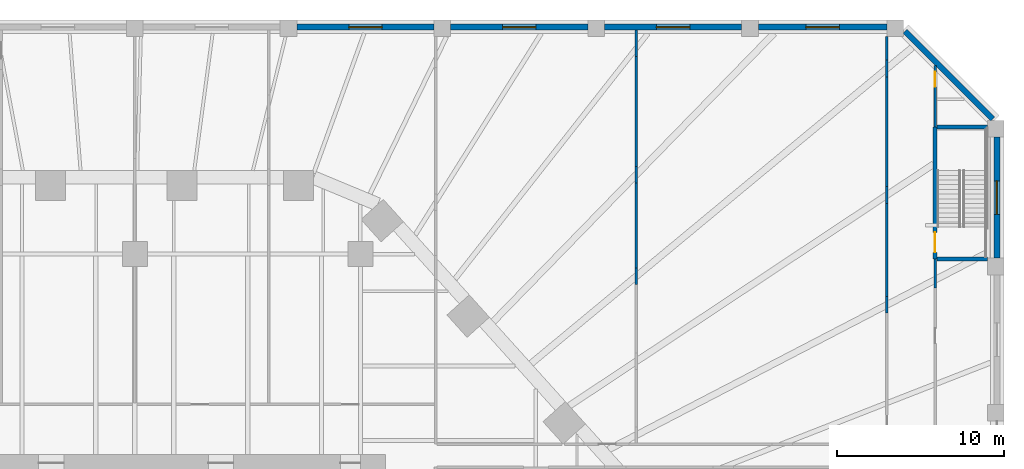
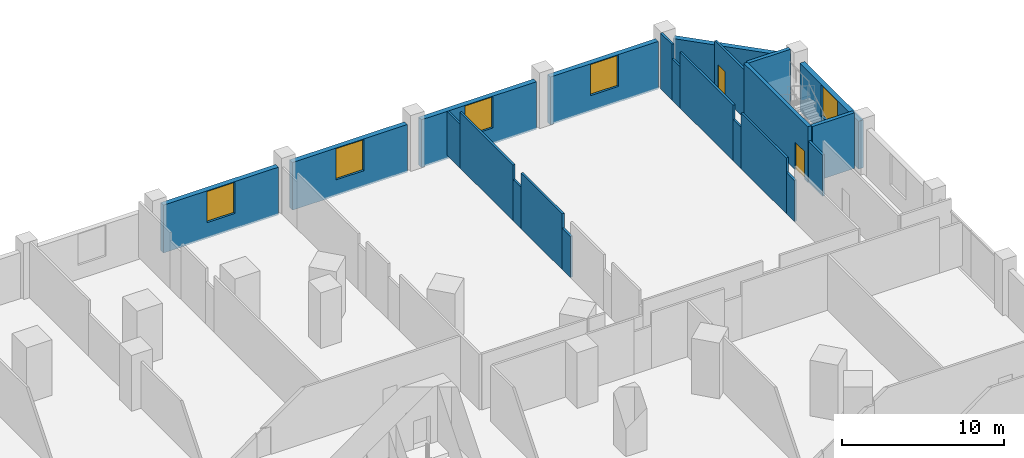
# One storey, part 23 of 29: 22 walls, 5 windows, 2 doors, 7 openings.
"""IFC4 building model written with IfcOpenShell, lengths in metres."""

from ifc_helpers import new_model, si_unit, direction, frame, frame_2d, origin, place, context, subcontext, project, spatial, rectangle, extrude, material, layer, layer_set, type_object, element, fill, save


model = new_model("IFC4")

# Units and contexts
model_context = context("Model", 3, precision=1e-05, world=origin(), true_north=direction((0.0, 1.0)))
body_context = subcontext(model_context, "Body", "Model", "MODEL_VIEW")
ifc_project = project(units=[si_unit("LENGTHUNIT", "METRE"), si_unit("AREAUNIT", "SQUARE_METRE"), si_unit("VOLUMEUNIT", "CUBIC_METRE"), si_unit("PLANEANGLEUNIT", "RADIAN"), si_unit("MASSUNIT", "GRAM", prefix="KILO")], contexts=[model_context])

# Site, building, storey
site_placement = place(None, origin())
site = spatial("IfcSite", under=ifc_project, at=site_placement, CompositionType="ELEMENT")
building_placement = place(site_placement, origin())
building = spatial("IfcBuilding", under=site, at=building_placement, Name="Isthmus Gate Tower", CompositionType="ELEMENT")
storey_placement = place(building_placement, frame((0.0, 0.0, 27.0)))
storey = spatial("IfcBuildingStorey", under=building, at=storey_placement, Name="L04", CompositionType="ELEMENT", Elevation=27.0)

# Walls
ifc_material_1 = material(Name="Fire-rated gypsum board on steel studs", Category="steel")
ifc_layer_1 = layer(ifc_material_1, 0.14990234375)
ifc_layer_set_1 = layer_set([ifc_layer_1], Name="Fire-rated partition 150 EI 60")
wall_type_1 = type_object("IfcWallType", Name="Fire-rated partition 150 EI 60", PredefinedType="PARTITIONING", material=ifc_layer_set_1)
wall_1_placement = place(storey_placement, frame((45.0, 23.458251953125, 0.0), z_axis=(0.0, 0.0, 1.0), x_axis=(0.0, 1.0, 0.0)))
element("IfcWall", 1, at=wall_1_placement, inside=storey, type_object=wall_type_1, Name="Fire-rated partition", PredefinedType="PARTITIONING", context=body_context, shape_type="SweptSolid", body=[
    extrude(rectangle(XDim=1.0, YDim=0.14990234375, at=frame_2d((0.5, 0.0))), origin(), (0.0, 0.0, 1.0), 3.111083984375),
])
wall_2_placement = place(storey_placement, frame((45.0, 24.458251953125, 0.0), z_axis=(0.0, 0.0, 1.0), x_axis=(0.0, 1.0, 0.0)))
element("IfcWall", 2, at=wall_2_placement, inside=storey, type_object=wall_type_1, Name="Fire-rated partition", PredefinedType="PARTITIONING", context=body_context, shape_type="SweptSolid", body=[
    extrude(rectangle(XDim=5.5693359375, YDim=0.14990234375, at=frame_2d((2.78466796875, 0.0))), origin(), (0.0, 0.0, 1.0), 4.199951171875),
])
wall_3_placement = place(storey_placement, frame((45.0, 30.027587890625, 0.0), z_axis=(0.0, 0.0, 1.0), x_axis=(0.0, 1.0, 0.0)))
element("IfcWall", 3, at=wall_3_placement, inside=storey, type_object=wall_type_1, Name="Fire-rated partition", PredefinedType="PARTITIONING", context=body_context, shape_type="SweptSolid", body=[
    extrude(rectangle(XDim=1.0, YDim=0.14990234375, at=frame_2d((0.5, 0.0))), origin(), (0.0, 0.0, 1.0), 3.111083984375),
])
wall_4_placement = place(storey_placement, frame((45.0, 31.027587890625, 0.0), z_axis=(0.0, 0.0, 1.0), x_axis=(0.0, 1.0, 0.0)))
element("IfcWall", 4, at=wall_4_placement, inside=storey, type_object=wall_type_1, Name="Fire-rated partition", PredefinedType="PARTITIONING", context=body_context, shape_type="SweptSolid", body=[
    extrude(rectangle(XDim=6.572509765625, YDim=0.14990234375, at=frame_2d((3.2861328125, 0.0))), origin(), (0.0, 0.0, 1.0), 4.199951171875),
])
wall_5_placement = place(storey_placement, frame((45.0, 37.60009765625, 0.0), z_axis=(0.0, 0.0, 1.0), x_axis=(0.0, 1.0, 0.0)))
element("IfcWall", 5, at=wall_5_placement, inside=storey, type_object=wall_type_1, Name="Fire-rated partition", PredefinedType="PARTITIONING", context=body_context, shape_type="SweptSolid", body=[
    extrude(rectangle(XDim=1.0, YDim=0.14990234375, at=frame_2d((0.5, 0.0))), origin(), (0.0, 0.0, 1.0), 3.111083984375),
])
wall_6_placement = place(storey_placement, frame((45.0, 38.60009765625, 0.0), z_axis=(0.0, 0.0, 1.0), x_axis=(0.0, 1.0, 0.0)))
element("IfcWall", 6, at=wall_6_placement, inside=storey, type_object=wall_type_1, Name="Fire-rated partition", PredefinedType="PARTITIONING", context=body_context, shape_type="SweptSolid", body=[
    extrude(rectangle(XDim=1.39990234375, YDim=0.14990234375, at=frame_2d((0.699951171875, 0.0))), origin(), (0.0, 0.0, 1.0), 4.199951171875),
])
wall_7_placement = place(storey_placement, frame((47.875, 24.9521484375, 0.0), z_axis=(0.0, 0.0, 1.0), x_axis=(0.0, 1.0, 0.0)))
element("IfcWall", 7, at=wall_7_placement, inside=storey, type_object=wall_type_1, Name="Fire-rated partition", PredefinedType="PARTITIONING", context=body_context, shape_type="SweptSolid", body=[
    extrude(rectangle(XDim=1.747802734375, YDim=0.14990234375, at=frame_2d((0.8740234375, 0.0))), origin(), (0.0, 0.0, 1.0), 3.111083984375),
])

# Wall, opening, door
wall_8_placement = place(storey_placement, frame((47.875, 34.60009765625, 0.0), z_axis=(0.0, 0.0, 1.0), x_axis=(0.0, 1.0, 0.0)))
wall_8 = element("IfcWall", 8, at=wall_8_placement, inside=storey, type_object=wall_type_1, Name="Fire-rated partition", PredefinedType="PARTITIONING", context=body_context, shape_type="SweptSolid", body=[
    extrude(rectangle(XDim=3.676513671875, YDim=0.14990234375, at=frame_2d((1.83837890625, 0.0))), origin(), (0.0, 0.0, 1.0), 3.66650390625),
])
opening_1_placement = place(wall_8_placement, frame((2.39990234375, 0.0, 0.0)))
opening_1 = element("IfcOpeningElement", 9, at=opening_1_placement, cuts=wall_8, Name="Opening DP04-06", PredefinedType="OPENING", context=body_context, shape_type="SweptSolid", body=[
    extrude(rectangle(XDim=0.89990234375, YDim=2.10009765625, at=frame_2d((0.449951171875, 1.050048828125))), frame((0.0, 0.0849609375, 0.0), z_axis=(0.0, -1.0, 0.0), x_axis=(1.0, 0.0, 0.0)), (0.0, 0.0, 1.0), 0.169921875),
])
ifc_material_2 = material(Name="Steel fire door with intumescent seals", Category="steel")
door_type_1 = type_object("IfcDoorType", Name="Fire door 900 x 2100", OperationType="SINGLE_SWING_LEFT", PredefinedType="DOOR", material=ifc_material_2)
door_1_placement = place(opening_1_placement, origin())
door_1 = element("IfcDoor", 10, at=door_1_placement, inside=storey, type_object=door_type_1, Name="Door DP04-06", OperationType="SINGLE_SWING_LEFT", OverallHeight=2.10009765625, OverallWidth=0.89990234375, PredefinedType="DOOR", context=body_context, shape_type="SweptSolid", body=[
    extrude(rectangle(XDim=0.89990234375, YDim=2.10009765625, at=frame_2d((0.449951171875, 1.050048828125))), frame((0.0, 0.02490234375, 0.0), z_axis=(0.0, -1.0, 0.0), x_axis=(1.0, 0.0, 0.0)), (0.0, 0.0, 1.0), 0.050048828125),
])
fill(opening_1, door_1)

# Wall, opening, window
ifc_material_3 = material(Name="Precast concrete C40/50, limestone-faced", Category="masonry")
ifc_layer_2 = layer(ifc_material_3, 0.35009765625)
ifc_layer_set_2 = layer_set([ifc_layer_2], Name="PODIUM CLADDING WALL 350")
wall_type_2 = type_object("IfcWallType", Name="PODIUM CLADDING WALL 350", PredefinedType="SOLIDWALL", material=ifc_layer_set_2)
wall_9_placement = place(storey_placement, frame((51.574951171875, 26.75, -0.300048828125), z_axis=(0.0, 0.0, 1.0), x_axis=(0.0, 1.0, 0.0)))
wall_9 = element("IfcWall", 11, at=wall_9_placement, inside=storey, type_object=wall_type_2, Name="PODIUM WALL", PredefinedType="SOLIDWALL", context=body_context, shape_type="SweptSolid", body=[
    extrude(rectangle(XDim=7.25, YDim=0.35009765625, at=frame_2d((3.625, 0.0))), origin(), (0.0, 0.0, 1.0), 3.60009765625),
])
opening_2_placement = place(wall_9_placement, frame((2.625, 0.0, 1.199951171875)))
opening_2 = element("IfcOpeningElement", 12, at=opening_2_placement, cuts=wall_9, Name="Opening W076", PredefinedType="OPENING", context=body_context, shape_type="SweptSolid", body=[
    extrude(rectangle(XDim=2.0, YDim=2.35009765625, at=frame_2d((1.0, 1.175048828125))), frame((0.0, 0.18505859375, 0.0), z_axis=(0.0, -1.0, 0.0), x_axis=(1.0, 0.0, 0.0)), (0.0, 0.0, 1.0), 0.3701171875),
])
ifc_material_4 = material(Name="Aluminium, pale champagne anodised, laminated glass", Category="aluminium")
window_type = type_object("IfcWindowType", Name="PODIUM SLOT WINDOW 2000 X 2350", PartitioningType="SINGLE_PANEL", PredefinedType="WINDOW", material=ifc_material_4)
window_1_placement = place(opening_2_placement, origin())
window_1 = element("IfcWindow", 13, at=window_1_placement, inside=storey, type_object=window_type, Name="SLOT WINDOW", OverallHeight=2.35009765625, OverallWidth=2.0, PartitioningType="SINGLE_PANEL", PredefinedType="WINDOW", context=body_context, shape_type="SweptSolid", body=[
    extrude(rectangle(XDim=2.0, YDim=2.35009765625, at=frame_2d((1.0, 1.175048828125))), frame((0.0, 0.030029296875, 0.0), z_axis=(0.0, -1.0, 0.0), x_axis=(1.0, 0.0, 0.0)), (0.0, 0.0, 1.0), 0.06005859375),
])
fill(opening_2, window_1)

# Wall
wall_10_placement = place(storey_placement, frame((51.327392578125, 35.071533203125, -0.300048828125), z_axis=(0.0, 0.0, 1.0), x_axis=(-0.707106781187, 0.707106781187, 0.0)))
element("IfcWall", 14, at=wall_10_placement, inside=storey, type_object=wall_type_2, Name="PODIUM WALL", PredefinedType="SOLIDWALL", context=body_context, shape_type="SweptSolid", body=[
    extrude(rectangle(XDim=7.432861328125, YDim=0.35009765625, at=frame_2d((3.71630859375, 0.0))), origin(), (0.0, 0.0, 1.0), 3.60009765625),
])

# Wall, opening, window
wall_11_placement = place(storey_placement, frame((45.0, 40.574951171875, -0.300048828125), z_axis=(0.0, 0.0, 1.0), x_axis=(-1.0, 0.0, 0.0)))
wall_11 = element("IfcWall", 15, at=wall_11_placement, inside=storey, type_object=wall_type_2, Name="PODIUM WALL", PredefinedType="SOLIDWALL", context=body_context, shape_type="SweptSolid", body=[
    extrude(rectangle(XDim=7.699951171875, YDim=0.35009765625, at=frame_2d((3.85009765625, 0.0))), origin(), (0.0, 0.0, 1.0), 3.60009765625),
])
opening_3_placement = place(wall_11_placement, frame((2.85009765625, 0.0, 1.199951171875)))
opening_3 = element("IfcOpeningElement", 16, at=opening_3_placement, cuts=wall_11, Name="Opening W077", PredefinedType="OPENING", context=body_context, shape_type="SweptSolid", body=[
    extrude(rectangle(XDim=2.0, YDim=2.35009765625, at=frame_2d((1.0, 1.175048828125))), frame((0.0, 0.18505859375, 0.0), z_axis=(0.0, -1.0, 0.0), x_axis=(1.0, 0.0, 0.0)), (0.0, 0.0, 1.0), 0.3701171875),
])
window_2_placement = place(opening_3_placement, origin())
window_2 = element("IfcWindow", 17, at=window_2_placement, inside=storey, type_object=window_type, Name="SLOT WINDOW", OverallHeight=2.35009765625, OverallWidth=2.0, PartitioningType="SINGLE_PANEL", PredefinedType="WINDOW", context=body_context, shape_type="SweptSolid", body=[
    extrude(rectangle(XDim=2.0, YDim=2.35009765625, at=frame_2d((1.0, 1.175048828125))), frame((0.0, 0.030029296875, 0.0), z_axis=(0.0, -1.0, 0.0), x_axis=(1.0, 0.0, 0.0)), (0.0, 0.0, 1.0), 0.06005859375),
])
fill(opening_3, window_2)

wall_12_placement = place(storey_placement, frame((36.300048828125, 40.574951171875, -0.300048828125), z_axis=(0.0, 0.0, 1.0), x_axis=(-1.0, 0.0, 0.0)))
wall_12 = element("IfcWall", 18, at=wall_12_placement, inside=storey, type_object=wall_type_2, Name="PODIUM WALL", PredefinedType="SOLIDWALL", context=body_context, shape_type="SweptSolid", body=[
    extrude(rectangle(XDim=8.199951171875, YDim=0.35009765625, at=frame_2d((4.10009765625, 0.0))), origin(), (0.0, 0.0, 1.0), 3.60009765625),
])
opening_4_placement = place(wall_12_placement, frame((3.10009765625, 0.0, 1.199951171875)))
opening_4 = element("IfcOpeningElement", 19, at=opening_4_placement, cuts=wall_12, Name="Opening W078", PredefinedType="OPENING", context=body_context, shape_type="SweptSolid", body=[
    extrude(rectangle(XDim=2.0, YDim=2.35009765625, at=frame_2d((1.0, 1.175048828125))), frame((0.0, 0.18505859375, 0.0), z_axis=(0.0, -1.0, 0.0), x_axis=(1.0, 0.0, 0.0)), (0.0, 0.0, 1.0), 0.3701171875),
])
window_3_placement = place(opening_4_placement, origin())
window_3 = element("IfcWindow", 20, at=window_3_placement, inside=storey, type_object=window_type, Name="SLOT WINDOW", OverallHeight=2.35009765625, OverallWidth=2.0, PartitioningType="SINGLE_PANEL", PredefinedType="WINDOW", context=body_context, shape_type="SweptSolid", body=[
    extrude(rectangle(XDim=2.0, YDim=2.35009765625, at=frame_2d((1.0, 1.175048828125))), frame((0.0, 0.030029296875, 0.0), z_axis=(0.0, -1.0, 0.0), x_axis=(1.0, 0.0, 0.0)), (0.0, 0.0, 1.0), 0.06005859375),
])
fill(opening_4, window_3)

wall_13_placement = place(storey_placement, frame((27.10009765625, 40.574951171875, -0.300048828125), z_axis=(0.0, 0.0, 1.0), x_axis=(-1.0, 0.0, 0.0)))
wall_13 = element("IfcWall", 21, at=wall_13_placement, inside=storey, type_object=wall_type_2, Name="PODIUM WALL", PredefinedType="SOLIDWALL", context=body_context, shape_type="SweptSolid", body=[
    extrude(rectangle(XDim=8.2001953125, YDim=0.35009765625, at=frame_2d((4.10009765625, 0.0))), origin(), (0.0, 0.0, 1.0), 3.60009765625),
])
opening_5_placement = place(wall_13_placement, frame((3.10009765625, 0.0, 1.199951171875)))
opening_5 = element("IfcOpeningElement", 22, at=opening_5_placement, cuts=wall_13, Name="Opening W079", PredefinedType="OPENING", context=body_context, shape_type="SweptSolid", body=[
    extrude(rectangle(XDim=2.0, YDim=2.35009765625, at=frame_2d((1.0, 1.175048828125))), frame((0.0, 0.18505859375, 0.0), z_axis=(0.0, -1.0, 0.0), x_axis=(1.0, 0.0, 0.0)), (0.0, 0.0, 1.0), 0.3701171875),
])
window_4_placement = place(opening_5_placement, origin())
window_4 = element("IfcWindow", 23, at=window_4_placement, inside=storey, type_object=window_type, Name="SLOT WINDOW", OverallHeight=2.35009765625, OverallWidth=2.0, PartitioningType="SINGLE_PANEL", PredefinedType="WINDOW", context=body_context, shape_type="SweptSolid", body=[
    extrude(rectangle(XDim=2.0, YDim=2.35009765625, at=frame_2d((1.0, 1.175048828125))), frame((0.0, 0.030029296875, 0.0), z_axis=(0.0, -1.0, 0.0), x_axis=(1.0, 0.0, 0.0)), (0.0, 0.0, 1.0), 0.06005859375),
])
fill(opening_5, window_4)

wall_14_placement = place(storey_placement, frame((17.89990234375, 40.574951171875, -0.300048828125), z_axis=(0.0, 0.0, 1.0), x_axis=(-1.0, 0.0, 0.0)))
wall_14 = element("IfcWall", 24, at=wall_14_placement, inside=storey, type_object=wall_type_2, Name="PODIUM WALL", PredefinedType="SOLIDWALL", context=body_context, shape_type="SweptSolid", body=[
    extrude(rectangle(XDim=8.199951171875, YDim=0.35009765625, at=frame_2d((4.10009765625, 0.0))), origin(), (0.0, 0.0, 1.0), 3.60009765625),
])
opening_6_placement = place(wall_14_placement, frame((3.10009765625, 0.0, 1.199951171875)))
opening_6 = element("IfcOpeningElement", 25, at=opening_6_placement, cuts=wall_14, Name="Opening W080", PredefinedType="OPENING", context=body_context, shape_type="SweptSolid", body=[
    extrude(rectangle(XDim=2.0, YDim=2.35009765625, at=frame_2d((1.0, 1.175048828125))), frame((0.0, 0.18505859375, 0.0), z_axis=(0.0, -1.0, 0.0), x_axis=(1.0, 0.0, 0.0)), (0.0, 0.0, 1.0), 0.3701171875),
])
window_5_placement = place(opening_6_placement, origin())
window_5 = element("IfcWindow", 26, at=window_5_placement, inside=storey, type_object=window_type, Name="SLOT WINDOW", OverallHeight=2.35009765625, OverallWidth=2.0, PartitioningType="SINGLE_PANEL", PredefinedType="WINDOW", context=body_context, shape_type="SweptSolid", body=[
    extrude(rectangle(XDim=2.0, YDim=2.35009765625, at=frame_2d((1.0, 1.175048828125))), frame((0.0, 0.030029296875, 0.0), z_axis=(0.0, -1.0, 0.0), x_axis=(1.0, 0.0, 0.0)), (0.0, 0.0, 1.0), 0.06005859375),
])
fill(opening_6, window_5)

# Walls
ifc_material_5 = material(Name="Gypsum board on cold-formed steel studs", Category="steel")
ifc_layer_3 = layer(ifc_material_5, 0.14990234375)
ifc_layer_set_3 = layer_set([ifc_layer_3])
wall_type_3 = type_object("IfcWallType", Name="Partition 150 gypsum board on steel studs", PredefinedType="PARTITIONING", material=ifc_layer_set_3)
wall_15_placement = place(storey_placement, frame((30.0, 25.1640625, 0.0), z_axis=(0.0, 0.0, 1.0), x_axis=(0.0, 1.0, 0.0)))
element("IfcWall", 27, at=wall_15_placement, inside=storey, type_object=wall_type_3, Name="Partition", PredefinedType="PARTITIONING", context=body_context, shape_type="SweptSolid", body=[
    extrude(rectangle(XDim=1.0, YDim=0.14990234375, at=frame_2d((0.5, 0.0))), origin(), (0.0, 0.0, 1.0), 3.111083984375),
])
wall_16_placement = place(storey_placement, frame((30.0, 26.1640625, 0.0), z_axis=(0.0, 0.0, 1.0), x_axis=(0.0, 1.0, 0.0)))
element("IfcWall", 28, at=wall_16_placement, inside=storey, type_object=wall_type_3, Name="Partition", PredefinedType="PARTITIONING", context=body_context, shape_type="SweptSolid", body=[
    extrude(rectangle(XDim=5.076416015625, YDim=0.14990234375, at=frame_2d((2.5380859375, 0.0))), origin(), (0.0, 0.0, 1.0), 4.199951171875),
])
wall_17_placement = place(storey_placement, frame((30.0, 31.240478515625, 0.0), z_axis=(0.0, 0.0, 1.0), x_axis=(0.0, 1.0, 0.0)))
element("IfcWall", 29, at=wall_17_placement, inside=storey, type_object=wall_type_3, Name="Partition", PredefinedType="PARTITIONING", context=body_context, shape_type="SweptSolid", body=[
    extrude(rectangle(XDim=1.0, YDim=0.14990234375, at=frame_2d((0.5, 0.0))), origin(), (0.0, 0.0, 1.0), 3.111083984375),
])
wall_18_placement = place(storey_placement, frame((30.0, 32.240478515625, 0.0), z_axis=(0.0, 0.0, 1.0), x_axis=(0.0, 1.0, 0.0)))
element("IfcWall", 30, at=wall_18_placement, inside=storey, type_object=wall_type_3, Name="Partition", PredefinedType="PARTITIONING", context=body_context, shape_type="SweptSolid", body=[
    extrude(rectangle(XDim=6.5751953125, YDim=0.14990234375, at=frame_2d((3.28759765625, 0.0))), origin(), (0.0, 0.0, 1.0), 4.199951171875),
])
wall_19_placement = place(storey_placement, frame((30.0, 38.815673828125, 0.0), z_axis=(0.0, 0.0, 1.0), x_axis=(0.0, 1.0, 0.0)))
element("IfcWall", 31, at=wall_19_placement, inside=storey, type_object=wall_type_3, Name="Partition", PredefinedType="PARTITIONING", context=body_context, shape_type="SweptSolid", body=[
    extrude(rectangle(XDim=1.584228515625, YDim=0.14990234375, at=frame_2d((0.7919921875, 0.0))), origin(), (0.0, 0.0, 1.0), 3.29833984375),
])
ifc_material_6 = material(Name="Concrete f'c 40 MPa", Category="concrete")
ifc_layer_4 = layer(ifc_material_6, 0.25)
ifc_layer_set_4 = layer_set([ifc_layer_4])
wall_type_4 = type_object("IfcWallType", Name="Stair shaft wall 250 reinforced concrete", PredefinedType="SHEAR", material=ifc_layer_set_4)
for number, where, z_axis, x_axis, name in (
    (32, (48.0, 26.699951171875, 0.0), (0.0, 0.0, 1.0), (1.0, 0.0, 0.0), "Stair shaft wall"),
    (33, (48.0, 34.60009765625, 0.0), (0.0, 0.0, 1.0), (1.0, 0.0, 0.0), "Stair shaft wall"),
):
    element("IfcWall", number, at=place(storey_placement, frame(where, z_axis=z_axis, x_axis=x_axis)), inside=storey, type_object=wall_type_4, Name=name, PredefinedType="SHEAR", context=body_context, shape_type="SweptSolid", body=[
        extrude(rectangle(XDim=3.0, YDim=0.25, at=frame_2d((1.5, 0.0))), origin(), (0.0, 0.0, 1.0), 4.199951171875),
    ])

# Wall, opening, door
wall_20_placement = place(storey_placement, frame((47.875, 26.699951171875, 0.0), z_axis=(0.0, 0.0, 1.0), x_axis=(0.0, 1.0, 0.0)))
wall_20 = element("IfcWall", 34, at=wall_20_placement, inside=storey, type_object=wall_type_4, Name="Stair shaft wall", PredefinedType="SHEAR", context=body_context, shape_type="SweptSolid", body=[
    extrude(rectangle(XDim=7.900146484375, YDim=0.25, at=frame_2d((3.9501953125, 0.0))), origin(), (0.0, 0.0, 1.0), 4.199951171875),
])
opening_7_placement = place(wall_20_placement, frame((0.39990234375, 0.0, 0.0)))
opening_7 = element("IfcOpeningElement", 35, at=opening_7_placement, cuts=wall_20, Name="Opening DP04-04", PredefinedType="OPENING", context=body_context, shape_type="SweptSolid", body=[
    extrude(rectangle(XDim=1.199951171875, YDim=2.10009765625, at=frame_2d((0.60009765625, 1.050048828125))), frame((0.0, 0.135009765625, 0.0), z_axis=(0.0, -1.0, 0.0), x_axis=(1.0, 0.0, 0.0)), (0.0, 0.0, 1.0), 0.27001953125),
])
ifc_material_7 = material(Name="Steel fire door with intumescent seals", Category="steel")
door_type_2 = type_object("IfcDoorType", Name="Fire door 1200 x 2100", OperationType="SINGLE_SWING_LEFT", PredefinedType="DOOR", material=ifc_material_7)
door_2_placement = place(opening_7_placement, origin())
door_2 = element("IfcDoor", 36, at=door_2_placement, inside=storey, type_object=door_type_2, Name="Door DP04-04", OperationType="SINGLE_SWING_LEFT", OverallHeight=2.10009765625, OverallWidth=1.199951171875, PredefinedType="DOOR", context=body_context, shape_type="SweptSolid", body=[
    extrude(rectangle(XDim=1.199951171875, YDim=2.10009765625, at=frame_2d((0.60009765625, 1.050048828125))), frame((0.0, 0.02490234375, 0.0), z_axis=(0.0, -1.0, 0.0), x_axis=(1.0, 0.0, 0.0)), (0.0, 0.0, 1.0), 0.050048828125),
])
fill(opening_7, door_2)

save(model, "model.ifc")
